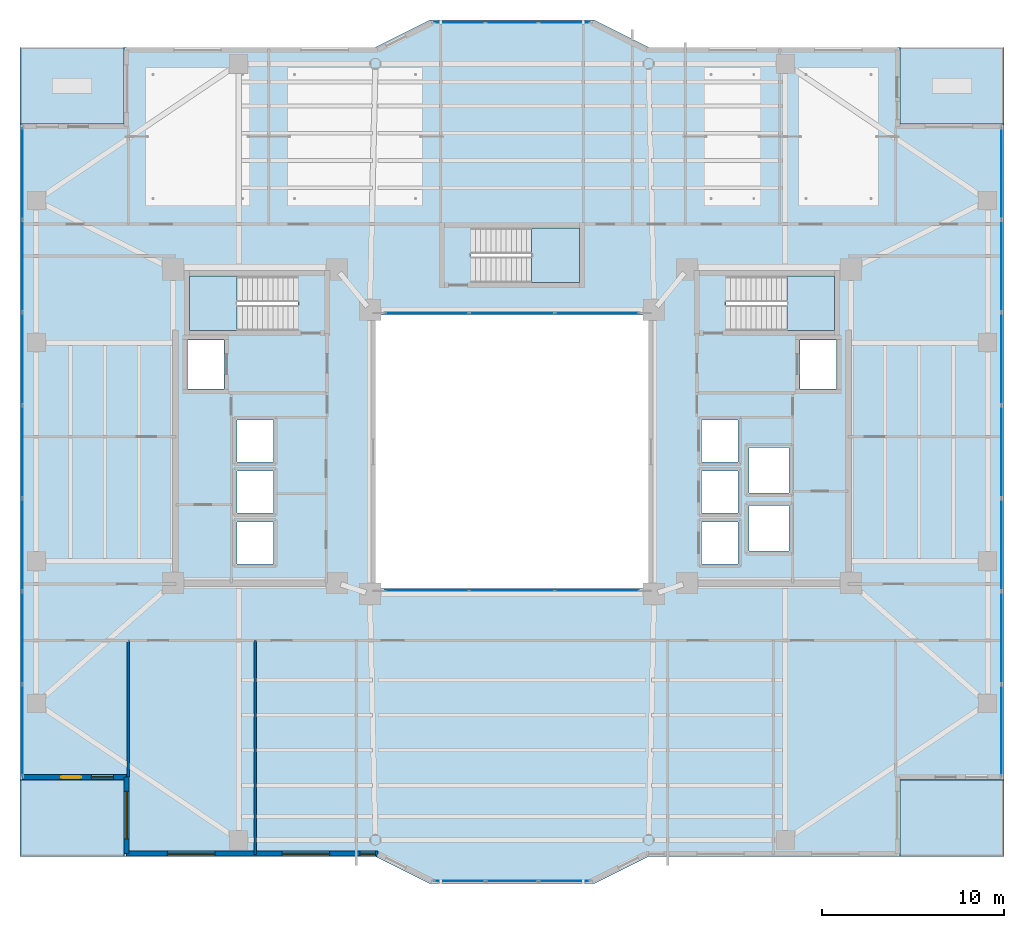
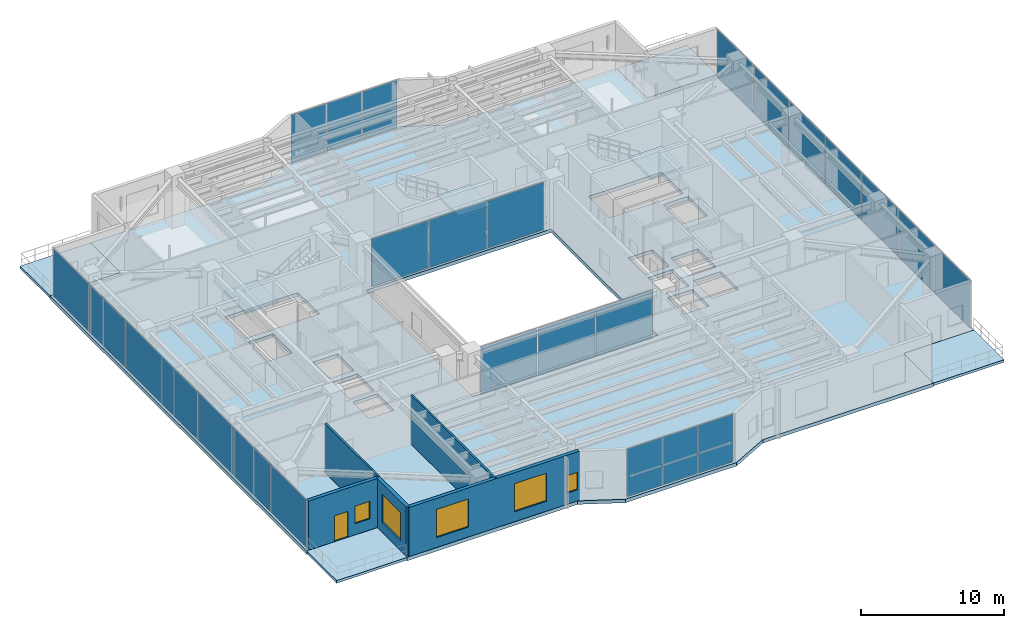
# One storey, part 26 of 37: 26 plates, 8 slabs, 5 walls, 5 windows, 1 door, 6 openings, 9 elements without a shape of their own.
"""IFC4 building model written with IfcOpenShell, lengths in metres."""

import ifcopenshell
import ifcopenshell.guid

model = None  # the IFC model being written
_history = None  # IfcOwnerHistory: only IFC2X3 demands one
_inside = {}  # id of a spatial element -> (the spatial element, [elements in it])
_under = {}  # id of a project, library or spatial element -> (it, [spatial elements below it])
_declared = {}  # id of a project -> (the project, [libraries it declares])
_typed = {}  # id of a type object -> (the type object, [elements of that type])
_made_of = {}  # id of a material, layer set ... -> (it, [elements and type objects made of it])


def new_model(schema):
    """Start an empty IFC model of exactly this schema.

    Asked for "IFC4X3", IfcOpenShell would pick the latest addendum, in which some entities
    have other attributes; the version numbers below select the first issue.
    IFC2X3 requires an IfcOwnerHistory on every rooted entity: one is made here for all.
    """
    global model, _history
    if schema == "IFC4X3":
        model = ifcopenshell.file(schema_version=(4, 3, 0, 0))
    else:
        model = ifcopenshell.file(schema=schema)
    _inside.clear()
    _under.clear()
    _declared.clear()
    _typed.clear()
    _made_of.clear()
    _history = None
    if model.schema == "IFC2X3":
        org = make("IfcOrganization", Name="unknown")
        user = make(
            "IfcPersonAndOrganization",
            ThePerson=make("IfcPerson", FamilyName="unknown"),
            TheOrganization=org,
        )
        app = make(
            "IfcApplication",
            ApplicationDeveloper=org,
            Version="unknown",
            ApplicationFullName="unknown",
            ApplicationIdentifier="unknown",
        )
        _history = make(
            "IfcOwnerHistory",
            OwningUser=user,
            OwningApplication=app,
            ChangeAction="ADDED",
            CreationDate=0,
        )
    return model


def make(cls, **values):
    """One entity of the class cls with the attributes given. An attribute that is None is left unset."""
    return model.create_entity(
        cls, **{name: value for name, value in values.items() if value is not None}
    )


def rooted(cls, **values):
    """An entity with a GlobalId (a new one), such as an element, a storey or a relation."""
    return make(cls, GlobalId=ifcopenshell.guid.new(), OwnerHistory=_history, **values)


def si_unit(unit_type, name, prefix=None):
    """IfcSIUnit, for example si_unit("LENGTHUNIT", "METRE", prefix="MILLI")."""
    return make("IfcSIUnit", UnitType=unit_type, Prefix=prefix, Name=name)


def assignment(units):
    """IfcUnitAssignment: the units of a project."""
    return None if units is None else make("IfcUnitAssignment", Units=units)


def point(xyz):
    """IfcCartesianPoint."""
    return None if xyz is None else make("IfcCartesianPoint", Coordinates=xyz)


def direction(xyz):
    """IfcDirection."""
    return None if xyz is None else make("IfcDirection", DirectionRatios=xyz)


def frame(location, z_axis=None, x_axis=None):
    """IfcAxis2Placement3D, a coordinate frame: its origin and axes. An axis left out is left unset."""
    return make(
        "IfcAxis2Placement3D",
        Location=point(location),
        Axis=direction(z_axis),
        RefDirection=direction(x_axis),
    )


def frame_2d(location, x_axis=None):
    """IfcAxis2Placement2D, a coordinate frame in the plane: its origin and x axis."""
    return make(
        "IfcAxis2Placement2D", Location=point(location), RefDirection=direction(x_axis)
    )


def origin():
    """The frame at (0, 0, 0) with its axes left unset."""
    return frame((0.0, 0.0, 0.0))


def origin_2d():
    """The frame at (0, 0) in the plane with its x axis left unset."""
    return frame_2d((0.0, 0.0))


def place(relative_to, where):
    """IfcLocalPlacement: puts the frame where relative to a parent placement (None: the world)."""
    return make(
        "IfcLocalPlacement", PlacementRelTo=relative_to, RelativePlacement=where
    )


def context(
    kind, dimensions, precision=None, world=None, true_north=None, identifier=None
):
    """IfcGeometricRepresentationContext, for example the 3D "Model" context."""
    return make(
        "IfcGeometricRepresentationContext",
        ContextIdentifier=identifier,
        ContextType=kind,
        CoordinateSpaceDimension=dimensions,
        Precision=precision,
        WorldCoordinateSystem=world,
        TrueNorth=true_north,
    )


def subcontext(parent, identifier, kind, view, scale=None):
    """IfcGeometricRepresentationSubContext, for example "Body" below "Model"."""
    return make(
        "IfcGeometricRepresentationSubContext",
        ContextIdentifier=identifier,
        ContextType=kind,
        ParentContext=parent,
        TargetScale=scale,
        TargetView=view,
    )


def project(units=None, contexts=None):
    """IfcProject with its units and contexts."""
    return rooted(
        "IfcProject",
        Name="project",
        RepresentationContexts=contexts,
        UnitsInContext=assignment(units),
    )


def spatial(cls, under=None, at=None, **own):
    """A site, building, storey or space (cls), placed at a placement, below another one or the project."""
    s = rooted(cls, ObjectPlacement=at, **own)
    if under is not None:
        _under.setdefault(under.id(), (under, []))[1].append(s)
    return s


def polyline(points):
    """IfcPolyline through the points."""
    return make("IfcPolyline", Points=[point(p) for p in points])


def profile(cls, at=None, kind="AREA", **sizes):
    """A parametric profile (cls). Its sizes go by their IFC names, for example OverallWidth=200.0."""
    return make(cls, ProfileType=kind, Position=at, **sizes)


def rectangle(**sizes):
    """IfcRectangleProfileDef."""
    return profile("IfcRectangleProfileDef", **sizes)


def outline(outer, holes=None, kind="AREA"):
    """IfcArbitraryClosedProfileDef: a profile drawn as a closed curve; with holes, ...WithVoids."""
    if holes is None:
        return make("IfcArbitraryClosedProfileDef", ProfileType=kind, OuterCurve=outer)
    return make(
        "IfcArbitraryProfileDefWithVoids",
        ProfileType=kind,
        OuterCurve=outer,
        InnerCurves=holes,
    )


def extrude(swept, where, along, depth):
    """IfcExtrudedAreaSolid: the profile swept, set in the frame where, extruded along a direction by depth."""
    return make(
        "IfcExtrudedAreaSolid",
        SweptArea=swept,
        Position=where,
        ExtrudedDirection=direction(along),
        Depth=depth,
    )


def shape(context_of_items, identifier, shape_type, items):
    """IfcShapeRepresentation: the items that make up one representation, for example the "Body"."""
    return make(
        "IfcShapeRepresentation",
        ContextOfItems=context_of_items,
        RepresentationIdentifier=identifier,
        RepresentationType=shape_type,
        Items=items,
    )


def material(Name=None, Category=None):
    """IfcMaterial."""
    return make("IfcMaterial", Name=Name, Category=Category)


def layer(
    of_material, thickness, ventilated=None, Name=None, Category=None, Priority=None
):
    """IfcMaterialLayer: one layer of a wall or slab, of a material (None: an air gap)."""
    return make(
        "IfcMaterialLayer",
        Material=of_material,
        LayerThickness=thickness,
        IsVentilated=ventilated,
        Name=Name,
        Category=Category,
        Priority=Priority,
    )


def layer_set(layers, Name=None):
    """IfcMaterialLayerSet."""
    return make("IfcMaterialLayerSet", MaterialLayers=layers, LayerSetName=Name)


def made_of(thing, what):
    """Note that an element or type object is made of a material, layer set ...; save() writes the relation."""
    if what is not None:
        _made_of.setdefault(what.id(), (what, []))[1].append(thing)
    return thing


def type_object(cls, material=None, **own):
    """A type object (cls), such as IfcWallType, which elements share."""
    return made_of(rooted(cls, **own), material)


def element(
    cls,
    number,
    at=None,
    inside=None,
    cuts=None,
    type_object=None,
    material=None,
    context=None,
    identifier="Body",
    shape_type=None,
    held_by="IfcProductDefinitionShape",
    body=None,
    shapes=None,
    **own,
):
    """One element of the class cls, such as IfcWall. Its Tag is "e" and its number.

    at: its placement. inside: the storey or other place that contains it. cuts: it is an
    opening in that element (IfcRelVoidsElement). A single representation is given by context,
    identifier, shape_type and body (its items); several are given by shapes. held_by: the class
    of the entity that holds the representations. save() writes the other relations.
    """
    e = rooted(cls, Tag="e%d" % number, ObjectPlacement=at, **own)
    if body is not None:
        shapes = [shape(context, identifier, shape_type, body)]
    if shapes is not None:
        e.Representation = make(held_by, Representations=shapes)
    if inside is not None:
        _inside.setdefault(inside.id(), (inside, []))[1].append(e)
    if cuts is not None:
        rooted(
            "IfcRelVoidsElement", RelatingBuildingElement=cuts, RelatedOpeningElement=e
        )
    if type_object is not None:
        _typed.setdefault(type_object.id(), (type_object, []))[1].append(e)
    return made_of(e, material)


def fill(opening, filler):
    """IfcRelFillsElement: the door or window that sits in an opening."""
    return rooted(
        "IfcRelFillsElement",
        RelatingOpeningElement=opening,
        RelatedBuildingElement=filler,
    )


def aggregate(whole, parts):
    """IfcRelAggregates: a whole, such as a stair, and the parts it consists of."""
    return rooted("IfcRelAggregates", RelatingObject=whole, RelatedObjects=parts)


def save(model, path):
    """Write the relations noted so far, then the file.

    IfcRelAggregates (storeys below a building ...), IfcRelContainedInSpatialStructure (elements
    in a storey), IfcRelDefinesByType, IfcRelAssociatesMaterial and IfcRelDeclares: one each for
    every whole, place, type object, material and project.
    """
    for whole, parts in _under.values():
        aggregate(whole, parts)
    for where, things in _inside.values():
        rooted(
            "IfcRelContainedInSpatialStructure",
            RelatedElements=things,
            RelatingStructure=where,
        )
    for kind, things in _typed.values():
        rooted("IfcRelDefinesByType", RelatedObjects=things, RelatingType=kind)
    for what, things in _made_of.values():
        rooted("IfcRelAssociatesMaterial", RelatedObjects=things, RelatingMaterial=what)
    for by, libraries in _declared.values():
        rooted("IfcRelDeclares", RelatingContext=by, RelatedDefinitions=libraries)
    model.write(path)


model = new_model("IFC4")

# Units and contexts
model_context = context("Model", 3, precision=1e-05, world=origin(), true_north=direction((0.0, 1.0)))
body_context = subcontext(model_context, "Body", "Model", "MODEL_VIEW")
ifc_project = project(units=[si_unit("LENGTHUNIT", "METRE"), si_unit("AREAUNIT", "SQUARE_METRE"), si_unit("VOLUMEUNIT", "CUBIC_METRE"), si_unit("PLANEANGLEUNIT", "RADIAN"), si_unit("MASSUNIT", "GRAM", prefix="KILO")], contexts=[model_context])

# Site, building, storey
site_placement = place(None, origin())
site = spatial("IfcSite", under=ifc_project, at=site_placement, CompositionType="ELEMENT")
building_placement = place(site_placement, origin())
building = spatial("IfcBuilding", under=site, at=building_placement, Name="Tarnavaz Court Tower", CompositionType="ELEMENT")
storey_placement = place(building_placement, frame((0.0, 0.0, 118.5)))
storey = spatial("IfcBuildingStorey", under=building, at=storey_placement, Name="L32", CompositionType="ELEMENT", Elevation=118.5)

# Curtain wall, plates
ifc_material_1 = material(Name="Anodised Aluminium 6063-T6 and Solar Low-E Glazing", Category="aluminium")
ifc_layer_1 = layer(ifc_material_1, 0.139892578125)
ifc_layer_set_1 = layer_set([ifc_layer_1], Name="Anodised Aluminium 6063-T6 and Solar Low-E Glazing")
curtain_wall_type_1 = type_object("IfcCurtainWallType", Name="CW-SYS-04", PredefinedType="NOTDEFINED", material=ifc_layer_set_1)
curtain_wall_1_placement = place(storey_placement, origin())
curtain_wall_1 = element("IfcCurtainWall", 1, at=curtain_wall_1_placement, inside=storey, type_object=curtain_wall_type_1, Name="L32 Badgir Courtyard Curtain Wall S", PredefinedType="NOTDEFINED")
ifc_material_2 = material(Name="Double-Glazed Solar Low-E Glass", Category="glass")
ifc_layer_2 = layer(ifc_material_2, 0.028076171875)
ifc_layer_set_2 = layer_set([ifc_layer_2], Name="Double-Glazed Solar Low-E Glass")
plate_type = type_object("IfcPlateType", Name="CW-PAN-GLZ28", PredefinedType="CURTAIN_PANEL", material=ifc_layer_set_2)
plate_1_placement = place(storey_placement, frame((-4.6611328125, -7.6201171875, 0.06494140625), z_axis=(0.0, 0.0, 1.0), x_axis=(1.0, 0.0, 0.0)))
plate_1 = element("IfcPlate", 2, at=plate_1_placement, type_object=plate_type, Name="CW panel 1.1", PredefinedType="CURTAIN_PANEL", context=body_context, shape_type="SweptSolid", body=[
    extrude(rectangle(XDim=4.5673828125, YDim=0.028076171875, at=origin_2d()), origin(), (0.0, 0.0, 1.0), 4.070068359375),
])
plate_2_placement = place(storey_placement, frame((0.0, -7.6201171875, 0.06494140625), z_axis=(0.0, 0.0, 1.0), x_axis=(1.0, 0.0, 0.0)))
plate_2 = element("IfcPlate", 3, at=plate_2_placement, type_object=plate_type, Name="CW panel 2.1", PredefinedType="CURTAIN_PANEL", context=body_context, shape_type="SweptSolid", body=[
    extrude(rectangle(XDim=4.60498046875, YDim=0.028076171875, at=origin_2d()), origin(), (0.0, 0.0, 1.0), 4.070068359375),
])
plate_3_placement = place(storey_placement, frame((4.6611328125, -7.6201171875, 0.06494140625), z_axis=(0.0, 0.0, 1.0), x_axis=(1.0, 0.0, 0.0)))
plate_3 = element("IfcPlate", 4, at=plate_3_placement, type_object=plate_type, Name="CW panel 3.1", PredefinedType="CURTAIN_PANEL", context=body_context, shape_type="SweptSolid", body=[
    extrude(rectangle(XDim=4.5673828125, YDim=0.028076171875, at=origin_2d()), origin(), (0.0, 0.0, 1.0), 4.070068359375),
])
aggregate(curtain_wall_1, [plate_1, plate_2, plate_3])

curtain_wall_2_placement = place(storey_placement, origin())
curtain_wall_2 = element("IfcCurtainWall", 5, at=curtain_wall_2_placement, inside=storey, type_object=curtain_wall_type_1, Name="L32 Badgir Courtyard Curtain Wall N", PredefinedType="NOTDEFINED")
plate_4_placement = place(storey_placement, frame((4.6611328125, 7.6201171875, 0.06494140625), z_axis=(0.0, 0.0, 1.0), x_axis=(-1.0, 0.0, 0.0)))
plate_4 = element("IfcPlate", 6, at=plate_4_placement, type_object=plate_type, Name="CW panel 1.1", PredefinedType="CURTAIN_PANEL", context=body_context, shape_type="SweptSolid", body=[
    extrude(rectangle(XDim=4.5673828125, YDim=0.028076171875, at=origin_2d()), origin(), (0.0, 0.0, 1.0), 4.070068359375),
])
plate_5_placement = place(storey_placement, frame((0.0, 7.6201171875, 0.06494140625), z_axis=(0.0, 0.0, 1.0), x_axis=(-1.0, 0.0, 0.0)))
plate_5 = element("IfcPlate", 7, at=plate_5_placement, type_object=plate_type, Name="CW panel 2.1", PredefinedType="CURTAIN_PANEL", context=body_context, shape_type="SweptSolid", body=[
    extrude(rectangle(XDim=4.60498046875, YDim=0.028076171875, at=origin_2d()), origin(), (0.0, 0.0, 1.0), 4.070068359375),
])
plate_6_placement = place(storey_placement, frame((-4.6611328125, 7.6201171875, 0.06494140625), z_axis=(0.0, 0.0, 1.0), x_axis=(-1.0, 0.0, 0.0)))
plate_6 = element("IfcPlate", 8, at=plate_6_placement, type_object=plate_type, Name="CW panel 3.1", PredefinedType="CURTAIN_PANEL", context=body_context, shape_type="SweptSolid", body=[
    extrude(rectangle(XDim=4.5673828125, YDim=0.028076171875, at=origin_2d()), origin(), (0.0, 0.0, 1.0), 4.070068359375),
])
aggregate(curtain_wall_2, [plate_4, plate_5, plate_6])

ifc_layer_3 = layer(ifc_material_1, 0.199951171875)
ifc_layer_set_3 = layer_set([ifc_layer_3], Name="Anodised Aluminium 6063-T6 and Solar Low-E Glazing")
curtain_wall_type_2 = type_object("IfcCurtainWallType", Name="CW-SYS-05", PredefinedType="NOTDEFINED", material=ifc_layer_set_3)
curtain_wall_3_placement = place(storey_placement, origin())
curtain_wall_3 = element("IfcCurtainWall", 9, at=curtain_wall_3_placement, inside=storey, type_object=curtain_wall_type_2, Name="L32 Sky-Portal Curtain Wall 2", PredefinedType="NOTDEFINED")
plate_7_placement = place(storey_placement, frame((-26.85009765625, -15.27880859375, 0.06494140625), z_axis=(0.0, 0.0, 1.0), x_axis=(0.0, 1.0, 0.0)))
plate_7 = element("IfcPlate", 10, at=plate_7_placement, type_object=plate_type, Name="CW panel 1.1", PredefinedType="CURTAIN_PANEL", context=body_context, shape_type="SweptSolid", body=[
    extrude(rectangle(XDim=4.972412109375, YDim=0.028076171875, at=origin_2d()), origin(), (0.0, 0.0, 1.0), 4.070068359375),
])
plate_8_placement = place(storey_placement, frame((-26.85009765625, -10.199951171875, 0.06494140625), z_axis=(0.0, 0.0, 1.0), x_axis=(0.0, 1.0, 0.0)))
plate_8 = element("IfcPlate", 11, at=plate_8_placement, type_object=plate_type, Name="CW panel 2.1", PredefinedType="CURTAIN_PANEL", context=body_context, shape_type="SweptSolid", body=[
    extrude(rectangle(XDim=5.014892578125, YDim=0.028076171875, at=origin_2d()), origin(), (0.0, 0.0, 1.0), 4.070068359375),
])
plate_9_placement = place(storey_placement, frame((-26.85009765625, -5.10009765625, 0.06494140625), z_axis=(0.0, 0.0, 1.0), x_axis=(0.0, 1.0, 0.0)))
plate_9 = element("IfcPlate", 12, at=plate_9_placement, type_object=plate_type, Name="CW panel 3.1", PredefinedType="CURTAIN_PANEL", context=body_context, shape_type="SweptSolid", body=[
    extrude(rectangle(XDim=5.014892578125, YDim=0.028076171875, at=origin_2d()), origin(), (0.0, 0.0, 1.0), 4.070068359375),
])
plate_10_placement = place(storey_placement, frame((-26.85009765625, 0.0, 0.06494140625), z_axis=(0.0, 0.0, 1.0), x_axis=(0.0, 1.0, 0.0)))
plate_10 = element("IfcPlate", 13, at=plate_10_placement, type_object=plate_type, Name="CW panel 4.1", PredefinedType="CURTAIN_PANEL", context=body_context, shape_type="SweptSolid", body=[
    extrude(rectangle(XDim=5.014892578125, YDim=0.028076171875, at=origin_2d()), origin(), (0.0, 0.0, 1.0), 4.070068359375),
])
plate_11_placement = place(storey_placement, frame((-26.85009765625, 5.10009765625, 0.06494140625), z_axis=(0.0, 0.0, 1.0), x_axis=(0.0, 1.0, 0.0)))
plate_11 = element("IfcPlate", 14, at=plate_11_placement, type_object=plate_type, Name="CW panel 5.1", PredefinedType="CURTAIN_PANEL", context=body_context, shape_type="SweptSolid", body=[
    extrude(rectangle(XDim=5.014892578125, YDim=0.028076171875, at=origin_2d()), origin(), (0.0, 0.0, 1.0), 4.070068359375),
])
plate_12_placement = place(storey_placement, frame((-26.85009765625, 10.199951171875, 0.06494140625), z_axis=(0.0, 0.0, 1.0), x_axis=(0.0, 1.0, 0.0)))
plate_12 = element("IfcPlate", 15, at=plate_12_placement, type_object=plate_type, Name="CW panel 6.1", PredefinedType="CURTAIN_PANEL", context=body_context, shape_type="SweptSolid", body=[
    extrude(rectangle(XDim=5.014892578125, YDim=0.028076171875, at=origin_2d()), origin(), (0.0, 0.0, 1.0), 4.070068359375),
])
plate_13_placement = place(storey_placement, frame((-26.85009765625, 15.27880859375, 0.06494140625), z_axis=(0.0, 0.0, 1.0), x_axis=(0.0, 1.0, 0.0)))
plate_13 = element("IfcPlate", 16, at=plate_13_placement, type_object=plate_type, Name="CW panel 7.1", PredefinedType="CURTAIN_PANEL", context=body_context, shape_type="SweptSolid", body=[
    extrude(rectangle(XDim=4.972412109375, YDim=0.028076171875, at=origin_2d()), origin(), (0.0, 0.0, 1.0), 4.070068359375),
])
aggregate(curtain_wall_3, [plate_7, plate_8, plate_9, plate_10, plate_11, plate_12, plate_13])

ifc_layer_4 = layer(ifc_material_1, 0.179931640625)
ifc_layer_set_4 = layer_set([ifc_layer_4], Name="Anodised Aluminium 6063-T6 and Solar Low-E Glazing")
curtain_wall_type_3 = type_object("IfcCurtainWallType", Name="CW-SYS-02", PredefinedType="NOTDEFINED", material=ifc_layer_set_4)
curtain_wall_4_placement = place(storey_placement, origin())
curtain_wall_4 = element("IfcCurtainWall", 17, at=curtain_wall_4_placement, inside=storey, type_object=curtain_wall_type_3, Name="L32 Iwan Prow Curtain Wall 7", PredefinedType="NOTDEFINED")
plate_14_placement = place(storey_placement, frame((-2.88134765625, 23.550048828125, 0.06494140625), z_axis=(0.0, 0.0, 1.0), x_axis=(1.0, 0.0, 0.0)))
plate_14 = element("IfcPlate", 18, at=plate_14_placement, type_object=plate_type, Name="CW panel 1.1", PredefinedType="CURTAIN_PANEL", context=body_context, shape_type="SweptSolid", body=[
    extrude(rectangle(XDim=2.78759765625, YDim=0.028076171875, at=origin_2d()), origin(), (0.0, 0.0, 1.0), 4.070068359375),
])
plate_15_placement = place(storey_placement, frame((0.0, 23.550048828125, 0.06494140625), z_axis=(0.0, 0.0, 1.0), x_axis=(1.0, 0.0, 0.0)))
plate_15 = element("IfcPlate", 19, at=plate_15_placement, type_object=plate_type, Name="CW panel 2.1", PredefinedType="CURTAIN_PANEL", context=body_context, shape_type="SweptSolid", body=[
    extrude(rectangle(XDim=2.824951171875, YDim=0.028076171875, at=origin_2d()), origin(), (0.0, 0.0, 1.0), 4.070068359375),
])
plate_16_placement = place(storey_placement, frame((2.88134765625, 23.550048828125, 0.06494140625), z_axis=(0.0, 0.0, 1.0), x_axis=(1.0, 0.0, 0.0)))
plate_16 = element("IfcPlate", 20, at=plate_16_placement, type_object=plate_type, Name="CW panel 3.1", PredefinedType="CURTAIN_PANEL", context=body_context, shape_type="SweptSolid", body=[
    extrude(rectangle(XDim=2.78759765625, YDim=0.028076171875, at=origin_2d()), origin(), (0.0, 0.0, 1.0), 4.070068359375),
])
aggregate(curtain_wall_4, [plate_14, plate_15, plate_16])

curtain_wall_5_placement = place(storey_placement, origin())
curtain_wall_5 = element("IfcCurtainWall", 21, at=curtain_wall_5_placement, inside=storey, type_object=curtain_wall_type_2, Name="L32 Sky-Portal Curtain Wall 12", PredefinedType="NOTDEFINED")
plate_17_placement = place(storey_placement, frame((26.85009765625, 15.27880859375, 0.06494140625), z_axis=(0.0, 0.0, 1.0), x_axis=(0.0, -1.0, 0.0)))
plate_17 = element("IfcPlate", 22, at=plate_17_placement, type_object=plate_type, Name="CW panel 1.1", PredefinedType="CURTAIN_PANEL", context=body_context, shape_type="SweptSolid", body=[
    extrude(rectangle(XDim=4.972412109375, YDim=0.028076171875, at=origin_2d()), origin(), (0.0, 0.0, 1.0), 4.070068359375),
])
plate_18_placement = place(storey_placement, frame((26.85009765625, 10.199951171875, 0.06494140625), z_axis=(0.0, 0.0, 1.0), x_axis=(0.0, -1.0, 0.0)))
plate_18 = element("IfcPlate", 23, at=plate_18_placement, type_object=plate_type, Name="CW panel 2.1", PredefinedType="CURTAIN_PANEL", context=body_context, shape_type="SweptSolid", body=[
    extrude(rectangle(XDim=5.014892578125, YDim=0.028076171875, at=origin_2d()), origin(), (0.0, 0.0, 1.0), 4.070068359375),
])
plate_19_placement = place(storey_placement, frame((26.85009765625, 5.10009765625, 0.06494140625), z_axis=(0.0, 0.0, 1.0), x_axis=(0.0, -1.0, 0.0)))
plate_19 = element("IfcPlate", 24, at=plate_19_placement, type_object=plate_type, Name="CW panel 3.1", PredefinedType="CURTAIN_PANEL", context=body_context, shape_type="SweptSolid", body=[
    extrude(rectangle(XDim=5.014892578125, YDim=0.028076171875, at=origin_2d()), origin(), (0.0, 0.0, 1.0), 4.070068359375),
])
plate_20_placement = place(storey_placement, frame((26.85009765625, 0.0, 0.06494140625), z_axis=(0.0, 0.0, 1.0), x_axis=(0.0, -1.0, 0.0)))
plate_20 = element("IfcPlate", 25, at=plate_20_placement, type_object=plate_type, Name="CW panel 4.1", PredefinedType="CURTAIN_PANEL", context=body_context, shape_type="SweptSolid", body=[
    extrude(rectangle(XDim=5.014892578125, YDim=0.028076171875, at=origin_2d()), origin(), (0.0, 0.0, 1.0), 4.070068359375),
])
plate_21_placement = place(storey_placement, frame((26.85009765625, -5.10009765625, 0.06494140625), z_axis=(0.0, 0.0, 1.0), x_axis=(0.0, -1.0, 0.0)))
plate_21 = element("IfcPlate", 26, at=plate_21_placement, type_object=plate_type, Name="CW panel 5.1", PredefinedType="CURTAIN_PANEL", context=body_context, shape_type="SweptSolid", body=[
    extrude(rectangle(XDim=5.014892578125, YDim=0.028076171875, at=origin_2d()), origin(), (0.0, 0.0, 1.0), 4.070068359375),
])
plate_22_placement = place(storey_placement, frame((26.85009765625, -10.199951171875, 0.06494140625), z_axis=(0.0, 0.0, 1.0), x_axis=(0.0, -1.0, 0.0)))
plate_22 = element("IfcPlate", 27, at=plate_22_placement, type_object=plate_type, Name="CW panel 6.1", PredefinedType="CURTAIN_PANEL", context=body_context, shape_type="SweptSolid", body=[
    extrude(rectangle(XDim=5.014892578125, YDim=0.028076171875, at=origin_2d()), origin(), (0.0, 0.0, 1.0), 4.070068359375),
])
plate_23_placement = place(storey_placement, frame((26.85009765625, -15.27880859375, 0.06494140625), z_axis=(0.0, 0.0, 1.0), x_axis=(0.0, -1.0, 0.0)))
plate_23 = element("IfcPlate", 28, at=plate_23_placement, type_object=plate_type, Name="CW panel 7.1", PredefinedType="CURTAIN_PANEL", context=body_context, shape_type="SweptSolid", body=[
    extrude(rectangle(XDim=4.972412109375, YDim=0.028076171875, at=origin_2d()), origin(), (0.0, 0.0, 1.0), 4.070068359375),
])
aggregate(curtain_wall_5, [plate_17, plate_18, plate_19, plate_20, plate_21, plate_22, plate_23])

curtain_wall_6_placement = place(storey_placement, origin())
curtain_wall_6 = element("IfcCurtainWall", 29, at=curtain_wall_6_placement, inside=storey, type_object=curtain_wall_type_3, Name="L32 Iwan Prow Curtain Wall 17", PredefinedType="NOTDEFINED")
plate_24_placement = place(storey_placement, frame((2.88134765625, -23.550048828125, 0.06494140625), z_axis=(0.0, 0.0, 1.0), x_axis=(-1.0, 0.0, 0.0)))
plate_24 = element("IfcPlate", 30, at=plate_24_placement, type_object=plate_type, Name="CW panel 1.1", PredefinedType="CURTAIN_PANEL", context=body_context, shape_type="SweptSolid", body=[
    extrude(rectangle(XDim=2.78759765625, YDim=0.028076171875, at=origin_2d()), origin(), (0.0, 0.0, 1.0), 4.070068359375),
])
plate_25_placement = place(storey_placement, frame((0.0, -23.550048828125, 0.06494140625), z_axis=(0.0, 0.0, 1.0), x_axis=(-1.0, 0.0, 0.0)))
plate_25 = element("IfcPlate", 31, at=plate_25_placement, type_object=plate_type, Name="CW panel 2.1", PredefinedType="CURTAIN_PANEL", context=body_context, shape_type="SweptSolid", body=[
    extrude(rectangle(XDim=2.824951171875, YDim=0.028076171875, at=origin_2d()), origin(), (0.0, 0.0, 1.0), 4.070068359375),
])
plate_26_placement = place(storey_placement, frame((-2.88134765625, -23.550048828125, 0.06494140625), z_axis=(0.0, 0.0, 1.0), x_axis=(-1.0, 0.0, 0.0)))
plate_26 = element("IfcPlate", 32, at=plate_26_placement, type_object=plate_type, Name="CW panel 3.1", PredefinedType="CURTAIN_PANEL", context=body_context, shape_type="SweptSolid", body=[
    extrude(rectangle(XDim=2.78759765625, YDim=0.028076171875, at=origin_2d()), origin(), (0.0, 0.0, 1.0), 4.070068359375),
])
aggregate(curtain_wall_6, [plate_24, plate_25, plate_26])

# Stair, slab
ifc_material_3 = material(Name="Concrete C40/50", Category="concrete")
stair_type = type_object("IfcStairType", Name="ST-TWR-26R", PredefinedType="HALF_TURN_STAIR", material=ifc_material_3)
stair_1_placement = place(storey_placement, origin())
stair_1 = element("IfcStair", 33, at=stair_1_placement, inside=storey, type_object=stair_type, Name="L32 West Core Pressurized Exit Stair ST-W1", PredefinedType="HALF_TURN_STAIR")
ifc_layer_5 = layer(ifc_material_3, 0.199951171875)
ifc_layer_set_5 = layer_set([ifc_layer_5], Name="Concrete C40/50")
slab_type_1 = type_object("IfcSlabType", Name="SL-LAND-200", PredefinedType="LANDING", material=ifc_layer_set_5)
slab_1_placement = place(storey_placement, frame((0.0, 0.0, 2.050048828125)))
slab_1 = element("IfcSlab", 34, at=slab_1_placement, type_object=slab_type_1, Name="ST-W1 landing 1", PredefinedType="LANDING", context=body_context, shape_type="SweptSolid", body=[
    extrude(outline(polyline([(-15.080078125, 9.639892578125), (-17.699951171875, 9.639892578125), (-17.699951171875, 6.64990234375), (-15.080078125, 6.64990234375), (-15.080078125, 9.639892578125)])), origin(), (0.0, 0.0, 1.0), 0.199951171875),
])
aggregate(stair_1, [slab_1])

stair_2_placement = place(storey_placement, origin())
stair_2 = element("IfcStair", 35, at=stair_2_placement, inside=storey, type_object=stair_type, Name="L32 East Core Pressurized Exit Stair ST-E1", PredefinedType="HALF_TURN_STAIR")
slab_2_placement = place(storey_placement, frame((0.0, 0.0, 2.050048828125)))
slab_2 = element("IfcSlab", 36, at=slab_2_placement, type_object=slab_type_1, Name="ST-E1 landing 1", PredefinedType="LANDING", context=body_context, shape_type="SweptSolid", body=[
    extrude(outline(polyline([(15.080078125, 6.64990234375), (17.699951171875, 6.64990234375), (17.699951171875, 9.639892578125), (15.080078125, 9.639892578125), (15.080078125, 6.64990234375)])), origin(), (0.0, 0.0, 1.0), 0.199951171875),
])
aggregate(stair_2, [slab_2])

stair_3_placement = place(storey_placement, origin())
stair_3 = element("IfcStair", 37, at=stair_3_placement, inside=storey, type_object=stair_type, Name="L32 North Ring Pressurized Exit Stair ST-N1", PredefinedType="HALF_TURN_STAIR")
slab_3_placement = place(storey_placement, frame((0.0, 0.0, 2.050048828125)))
slab_3 = element("IfcSlab", 38, at=slab_3_placement, type_object=slab_type_1, Name="ST-N1 landing 1", PredefinedType="LANDING", context=body_context, shape_type="SweptSolid", body=[
    extrude(outline(polyline([(1.080078125, 9.300048828125), (3.699951171875, 9.300048828125), (3.699951171875, 12.2900390625), (1.080078125, 12.2900390625), (1.080078125, 9.300048828125)])), origin(), (0.0, 0.0, 1.0), 0.199951171875),
])
aggregate(stair_3, [slab_3])

# Slabs
ifc_layer_6 = layer(ifc_material_3, 0.300048828125)
ifc_layer_set_6 = layer_set([ifc_layer_6], Name="Concrete C40/50")
slab_type_2 = type_object("IfcSlabType", Name="SL-POD-300", PredefinedType="FLOOR", material=ifc_layer_set_6)
slab_4_placement = place(storey_placement, frame((0.0, 0.0, -0.300048828125)))
element("IfcSlab", 39, at=slab_4_placement, inside=storey, type_object=slab_type_2, Name="L32 Structural Floor Slab", PredefinedType="FLOOR", context=body_context, shape_type="SweptSolid", body=[
    extrude(outline(polyline([(-21.300048828125, -22.199951171875), (-7.5, -22.199951171875), (-4.5, -23.699951171875), (4.5, -23.699951171875), (7.5, -22.199951171875), (21.300048828125, -22.199951171875), (21.300048828125, -18.0), (27.0, -18.0), (27.0, 18.0), (21.300048828125, 18.0), (21.300048828125, 22.199951171875), (7.5, 22.199951171875), (4.5, 23.699951171875), (-4.5, 23.699951171875), (-7.5, 22.199951171875), (-21.300048828125, 22.199951171875), (-21.300048828125, 18.0), (-27.0, 18.0), (-27.0, -18.0), (-21.300048828125, -18.0), (-21.300048828125, -22.199951171875)]), holes=[polyline([(-7.5, -7.5), (7.5, -7.5), (7.5, 7.5), (-7.5, 7.5), (-7.5, -7.5)]), polyline([(-11.7451171875, 9.639892578125), (-17.699951171875, 9.639892578125), (-17.699951171875, 6.64990234375), (-11.7451171875, 6.64990234375), (-11.7451171875, 9.639892578125)]), polyline([(11.7451171875, 6.64990234375), (17.699951171875, 6.64990234375), (17.699951171875, 9.639892578125), (11.7451171875, 9.639892578125), (11.7451171875, 6.64990234375)]), polyline([(-2.2548828125, 9.300048828125), (3.699951171875, 9.300048828125), (3.699951171875, 12.2900390625), (-2.2548828125, 12.2900390625), (-2.2548828125, 9.300048828125)]), polyline([(-17.800048828125, 3.449951171875), (-15.800048828125, 3.449951171875), (-15.800048828125, 6.14990234375), (-17.800048828125, 6.14990234375), (-17.800048828125, 3.449951171875)]), polyline([(-15.10009765625, -6.14990234375), (-13.10009765625, -6.14990234375), (-13.10009765625, -3.85009765625), (-15.10009765625, -3.85009765625), (-15.10009765625, -6.14990234375)]), polyline([(-15.10009765625, -3.35009765625), (-13.10009765625, -3.35009765625), (-13.10009765625, -1.050048828125), (-15.10009765625, -1.050048828125), (-15.10009765625, -3.35009765625)]), polyline([(-15.10009765625, -0.550048828125), (-13.10009765625, -0.550048828125), (-13.10009765625, 1.75), (-15.10009765625, 1.75), (-15.10009765625, -0.550048828125)]), polyline([(15.800048828125, 3.449951171875), (17.800048828125, 3.449951171875), (17.800048828125, 6.14990234375), (15.800048828125, 6.14990234375), (15.800048828125, 3.449951171875)]), polyline([(10.39990234375, -6.14990234375), (12.39990234375, -6.14990234375), (12.39990234375, -3.85009765625), (10.39990234375, -3.85009765625), (10.39990234375, -6.14990234375)]), polyline([(10.39990234375, -3.35009765625), (12.39990234375, -3.35009765625), (12.39990234375, -1.050048828125), (10.39990234375, -1.050048828125), (10.39990234375, -3.35009765625)]), polyline([(10.39990234375, -0.550048828125), (12.39990234375, -0.550048828125), (12.39990234375, 1.75), (10.39990234375, 1.75), (10.39990234375, -0.550048828125)]), polyline([(13.0, -5.449951171875), (15.199951171875, -5.449951171875), (15.199951171875, -2.949951171875), (13.0, -2.949951171875), (13.0, -5.449951171875)]), polyline([(13.0, -2.25), (15.199951171875, -2.25), (15.199951171875, 0.25), (13.0, 0.25), (13.0, -2.25)])]), origin(), (0.0, 0.0, 1.0), 0.300048828125),
])
ifc_layer_7 = layer(ifc_material_3, 0.219970703125)
ifc_layer_set_7 = layer_set([ifc_layer_7], Name="Concrete C40/50")
slab_type_3 = type_object("IfcSlabType", Name="SL-TERR-220", PredefinedType="FLOOR", material=ifc_layer_set_7)
slab_5_placement = place(storey_placement, frame((0.0, 0.0, -0.219970703125)))
element("IfcSlab", 40, at=slab_5_placement, inside=storey, type_object=slab_type_3, Name="L32 NE Planted Sky Terrace", PredefinedType="FLOOR", context=body_context, shape_type="SweptSolid", body=[
    extrude(outline(polyline([(21.300048828125, 18.0), (27.0, 18.0), (27.0, 22.199951171875), (21.300048828125, 22.199951171875), (21.300048828125, 18.0)])), origin(), (0.0, 0.0, 1.0), 0.219970703125),
])
slab_6_placement = place(storey_placement, frame((0.0, 0.0, -0.219970703125)))
element("IfcSlab", 41, at=slab_6_placement, inside=storey, type_object=slab_type_3, Name="L32 NW Planted Sky Terrace", PredefinedType="FLOOR", context=body_context, shape_type="SweptSolid", body=[
    extrude(outline(polyline([(-27.0, 18.0), (-21.300048828125, 18.0), (-21.300048828125, 22.199951171875), (-27.0, 22.199951171875), (-27.0, 18.0)])), origin(), (0.0, 0.0, 1.0), 0.219970703125),
])
slab_7_placement = place(storey_placement, frame((0.0, 0.0, -0.219970703125)))
element("IfcSlab", 42, at=slab_7_placement, inside=storey, type_object=slab_type_3, Name="L32 SE Planted Sky Terrace", PredefinedType="FLOOR", context=body_context, shape_type="SweptSolid", body=[
    extrude(outline(polyline([(21.300048828125, -22.199951171875), (27.0, -22.199951171875), (27.0, -18.0), (21.300048828125, -18.0), (21.300048828125, -22.199951171875)])), origin(), (0.0, 0.0, 1.0), 0.219970703125),
])
slab_8_placement = place(storey_placement, frame((0.0, 0.0, -0.219970703125)))
element("IfcSlab", 43, at=slab_8_placement, inside=storey, type_object=slab_type_3, Name="L32 SW Planted Sky Terrace", PredefinedType="FLOOR", context=body_context, shape_type="SweptSolid", body=[
    extrude(outline(polyline([(-27.0, -22.199951171875), (-21.300048828125, -22.199951171875), (-21.300048828125, -18.0), (-27.0, -18.0), (-27.0, -22.199951171875)])), origin(), (0.0, 0.0, 1.0), 0.219970703125),
])

# Wall, openings, door, window
ifc_material_4 = material(Name="Precast Concrete C40/50", Category="concrete")
ifc_layer_8 = layer(ifc_material_4, 0.280029296875)
ifc_layer_set_8 = layer_set([ifc_layer_8], Name="Precast Concrete C40/50")
wall_type_1 = type_object("IfcWallType", Name="WL-EXT-280", PredefinedType="SOLIDWALL", material=ifc_layer_set_8)
wall_1_placement = place(storey_placement, frame((-21.14990234375, -17.85009765625, 0.0), z_axis=(0.0, 0.0, 1.0), x_axis=(-1.0, 0.0, 0.0)))
wall_1 = element("IfcWall", 44, at=wall_1_placement, inside=storey, type_object=wall_type_1, Name="L32 Exterior Terracotta Facade Wall 01", PredefinedType="SOLIDWALL", context=body_context, shape_type="SweptSolid", body=[
    extrude(rectangle(XDim=5.7001953125, YDim=0.280029296875, at=frame_2d((2.85009765625, 0.0))), origin(), (0.0, 0.0, 1.0), 4.199951171875),
])
opening_1_placement = place(wall_1_placement, frame((2.5, 0.0, 0.0)))
opening_1 = element("IfcOpeningElement", 45, at=opening_1_placement, cuts=wall_1, Name="Opening TD1", PredefinedType="OPENING", context=body_context, shape_type="SweptSolid", body=[
    extrude(rectangle(XDim=1.10009765625, YDim=2.199951171875, at=frame_2d((0.550048828125, 1.10009765625))), frame((0.0, 0.14990234375, 0.0), z_axis=(0.0, -1.0, 0.0), x_axis=(1.0, 0.0, 0.0)), (0.0, 0.0, 1.0), 0.300048828125),
])
opening_2_placement = place(wall_1_placement, frame((0.72998046875, 0.0, 0.949951171875)))
opening_2 = element("IfcOpeningElement", 46, at=opening_2_placement, cuts=wall_1, Name="Opening W05", PredefinedType="OPENING", context=body_context, shape_type="SweptSolid", body=[
    extrude(rectangle(XDim=1.199951171875, YDim=1.5, at=frame_2d((0.60009765625, 0.75))), frame((0.0, 0.14990234375, 0.0), z_axis=(0.0, -1.0, 0.0), x_axis=(1.0, 0.0, 0.0)), (0.0, 0.0, 1.0), 0.300048828125),
])
ifc_material_5 = material(Name="Thermally Broken Aluminium and Laminated Glass", Category="aluminium")
door_type = type_object("IfcDoorType", Name="DR-TERR-1100", OperationType="NOTDEFINED", PredefinedType="DOOR", material=ifc_material_5)
door_placement = place(opening_1_placement, origin())
door = element("IfcDoor", 47, at=door_placement, inside=storey, type_object=door_type, Name="L32 Sky Terrace Access Door 4", OperationType="SINGLE_SWING_RIGHT", OverallHeight=2.199951171875, OverallWidth=1.10009765625, PredefinedType="DOOR", context=body_context, shape_type="SweptSolid", body=[
    extrude(rectangle(XDim=1.10009765625, YDim=2.199951171875, at=frame_2d((0.550048828125, 1.10009765625))), frame((0.0, 0.02490234375, 0.0), z_axis=(0.0, -1.0, 0.0), x_axis=(1.0, 0.0, 0.0)), (0.0, 0.0, 1.0), 0.050048828125),
])
fill(opening_1, door)
window_type_1 = type_object("IfcWindowType", Name="WN-APT-1200", PartitioningType="SINGLE_PANEL", PredefinedType="WINDOW", material=ifc_material_2)
window_1_placement = place(opening_2_placement, origin())
window_1 = element("IfcWindow", 48, at=window_1_placement, inside=storey, type_object=window_type_1, Name="L32 L32 SW Terrace Salon Window", OverallHeight=1.5, OverallWidth=1.199951171875, PartitioningType="SINGLE_PANEL", PredefinedType="WINDOW", context=body_context, shape_type="SweptSolid", body=[
    extrude(rectangle(XDim=1.199951171875, YDim=1.5, at=frame_2d((0.60009765625, 0.75))), frame((0.0, 0.030029296875, 0.0), z_axis=(0.0, -1.0, 0.0), x_axis=(1.0, 0.0, 0.0)), (0.0, 0.0, 1.0), 0.06005859375),
])
fill(opening_2, window_1)

# Wall, openings, windows
wall_2_placement = place(storey_placement, frame((-7.35009765625, -22.050048828125, 0.0), z_axis=(0.0, 0.0, 1.0), x_axis=(-1.0, 0.0, 0.0)))
wall_2 = element("IfcWall", 49, at=wall_2_placement, inside=storey, type_object=wall_type_1, Name="L32 Exterior Terracotta Facade Wall 19", PredefinedType="SOLIDWALL", context=body_context, shape_type="SweptSolid", body=[
    extrude(rectangle(XDim=13.7998046875, YDim=0.280029296875, at=frame_2d((6.89990234375, 0.0))), origin(), (0.0, 0.0, 1.0), 4.199951171875),
])
opening_3_placement = place(wall_2_placement, frame((0.14697265625, 0.0, 0.949951171875)))
opening_3 = element("IfcOpeningElement", 50, at=opening_3_placement, cuts=wall_2, Name="Opening W15", PredefinedType="OPENING", context=body_context, shape_type="SweptSolid", body=[
    extrude(rectangle(XDim=0.85009765625, YDim=1.5, at=frame_2d((0.425048828125, 0.75))), frame((0.0, 0.14990234375, 0.0), z_axis=(0.0, -1.0, 0.0), x_axis=(1.0, 0.0, 0.0)), (0.0, 0.0, 1.0), 0.300048828125),
])
opening_4_placement = place(wall_2_placement, frame((2.664306640625, 0.0, 0.85009765625)))
opening_4 = element("IfcOpeningElement", 51, at=opening_4_placement, cuts=wall_2, Name="Opening W11", PredefinedType="OPENING", context=body_context, shape_type="SweptSolid", body=[
    extrude(rectangle(XDim=2.60009765625, YDim=2.39990234375, at=frame_2d((1.300048828125, 1.199951171875))), frame((0.0, 0.14990234375, 0.0), z_axis=(0.0, -1.0, 0.0), x_axis=(1.0, 0.0, 0.0)), (0.0, 0.0, 1.0), 0.300048828125),
])
opening_5_placement = place(wall_2_placement, frame((8.962158203125, 0.0, 0.85009765625)))
opening_5 = element("IfcOpeningElement", 52, at=opening_5_placement, cuts=wall_2, Name="Opening W11", PredefinedType="OPENING", context=body_context, shape_type="SweptSolid", body=[
    extrude(rectangle(XDim=2.60009765625, YDim=2.39990234375, at=frame_2d((1.300048828125, 1.199951171875))), frame((0.0, 0.14990234375, 0.0), z_axis=(0.0, -1.0, 0.0), x_axis=(1.0, 0.0, 0.0)), (0.0, 0.0, 1.0), 0.300048828125),
])
window_type_2 = type_object("IfcWindowType", Name="WN-APT-850", PartitioningType="SINGLE_PANEL", PredefinedType="WINDOW", material=ifc_material_2)
window_2_placement = place(opening_3_placement, origin())
window_2 = element("IfcWindow", 53, at=window_2_placement, inside=storey, type_object=window_type_2, Name="L32 L32 Central Iwan Cultural Exhibition Hall Window", OverallHeight=1.5, OverallWidth=0.85009765625, PartitioningType="SINGLE_PANEL", PredefinedType="WINDOW", context=body_context, shape_type="SweptSolid", body=[
    extrude(rectangle(XDim=0.85009765625, YDim=1.5, at=frame_2d((0.425048828125, 0.75))), frame((0.0, 0.030029296875, 0.0), z_axis=(0.0, -1.0, 0.0), x_axis=(1.0, 0.0, 0.0)), (0.0, 0.0, 1.0), 0.06005859375),
])
fill(opening_3, window_2)
window_type_3 = type_object("IfcWindowType", Name="WN-COM-2600", PartitioningType="TRIPLE_PANEL_VERTICAL", PredefinedType="WINDOW", material=ifc_material_2)
window_3_placement = place(opening_4_placement, origin())
window_3 = element("IfcWindow", 54, at=window_3_placement, inside=storey, type_object=window_type_3, Name="L32 L32 South-West Study Room Window", OverallHeight=2.39990234375, OverallWidth=2.60009765625, PartitioningType="SINGLE_PANEL", PredefinedType="WINDOW", context=body_context, shape_type="SweptSolid", body=[
    extrude(rectangle(XDim=2.60009765625, YDim=2.39990234375, at=frame_2d((1.300048828125, 1.199951171875))), frame((0.0, 0.030029296875, 0.0), z_axis=(0.0, -1.0, 0.0), x_axis=(1.0, 0.0, 0.0)), (0.0, 0.0, 1.0), 0.06005859375),
])
fill(opening_4, window_3)
window_4_placement = place(opening_5_placement, origin())
window_4 = element("IfcWindow", 55, at=window_4_placement, inside=storey, type_object=window_type_3, Name="L32 L32 Daycare Classroom Window", OverallHeight=2.39990234375, OverallWidth=2.60009765625, PartitioningType="SINGLE_PANEL", PredefinedType="WINDOW", context=body_context, shape_type="SweptSolid", body=[
    extrude(rectangle(XDim=2.60009765625, YDim=2.39990234375, at=frame_2d((1.300048828125, 1.199951171875))), frame((0.0, 0.030029296875, 0.0), z_axis=(0.0, -1.0, 0.0), x_axis=(1.0, 0.0, 0.0)), (0.0, 0.0, 1.0), 0.06005859375),
])
fill(opening_5, window_4)

# Wall, opening, window
wall_3_placement = place(storey_placement, frame((-21.14990234375, -22.050048828125, 0.0), z_axis=(0.0, 0.0, 1.0), x_axis=(0.0, 1.0, 0.0)))
wall_3 = element("IfcWall", 56, at=wall_3_placement, inside=storey, type_object=wall_type_1, Name="L32 Exterior Terracotta Facade Wall 20", PredefinedType="SOLIDWALL", context=body_context, shape_type="SweptSolid", body=[
    extrude(rectangle(XDim=4.199951171875, YDim=0.280029296875, at=frame_2d((2.10009765625, 0.0))), origin(), (0.0, 0.0, 1.0), 4.199951171875),
])
opening_6_placement = place(wall_3_placement, frame((0.81787109375, 0.0, 0.85009765625)))
opening_6 = element("IfcOpeningElement", 57, at=opening_6_placement, cuts=wall_3, Name="Opening W11", PredefinedType="OPENING", context=body_context, shape_type="SweptSolid", body=[
    extrude(rectangle(XDim=2.60009765625, YDim=2.39990234375, at=frame_2d((1.300048828125, 1.199951171875))), frame((0.0, 0.14990234375, 0.0), z_axis=(0.0, -1.0, 0.0), x_axis=(1.0, 0.0, 0.0)), (0.0, 0.0, 1.0), 0.300048828125),
])
window_5_placement = place(opening_6_placement, origin())
window_5 = element("IfcWindow", 58, at=window_5_placement, inside=storey, type_object=window_type_3, Name="L32 L32 Daycare Classroom Window", OverallHeight=2.39990234375, OverallWidth=2.60009765625, PartitioningType="SINGLE_PANEL", PredefinedType="WINDOW", context=body_context, shape_type="SweptSolid", body=[
    extrude(rectangle(XDim=2.60009765625, YDim=2.39990234375, at=frame_2d((1.300048828125, 1.199951171875))), frame((0.0, 0.030029296875, 0.0), z_axis=(0.0, -1.0, 0.0), x_axis=(1.0, 0.0, 0.0)), (0.0, 0.0, 1.0), 0.06005859375),
])
fill(opening_6, window_5)

# Walls
ifc_material_6 = material(Name="Gypsum Plasterboard Acoustic Partition", Category="masonry")
ifc_layer_9 = layer(ifc_material_6, 0.139892578125)
ifc_layer_set_9 = layer_set([ifc_layer_9], Name="Gypsum Plasterboard Acoustic Partition")
wall_type_2 = type_object("IfcWallType", Name="WL-PART-150", PredefinedType="PARTITIONING", material=ifc_layer_set_9)
wall_4_placement = place(storey_placement, frame((-14.077880859375, -22.10009765625, 0.0), z_axis=(0.0, 0.0, 1.0), x_axis=(0.0, 1.0, 0.0)))
element("IfcWall", 59, at=wall_4_placement, inside=storey, type_object=wall_type_2, Name="L32 Interior Partition 081", PredefinedType="PARTITIONING", context=body_context, shape_type="SweptSolid", body=[
    extrude(rectangle(XDim=11.75, YDim=0.139892578125, at=frame_2d((5.875, 0.0))), origin(), (0.0, 0.0, 1.0), 4.199951171875),
])
wall_5_placement = place(storey_placement, frame((-21.050048828125, -17.85009765625, 0.0), z_axis=(0.0, 0.0, 1.0), x_axis=(0.0, 1.0, 0.0)))
element("IfcWall", 60, at=wall_5_placement, inside=storey, type_object=wall_type_2, Name="L32 Interior Partition 090", PredefinedType="PARTITIONING", context=body_context, shape_type="SweptSolid", body=[
    extrude(rectangle(XDim=7.5, YDim=0.139892578125, at=frame_2d((3.75, 0.0))), origin(), (0.0, 0.0, 1.0), 4.199951171875),
])

save(model, "model.ifc")
